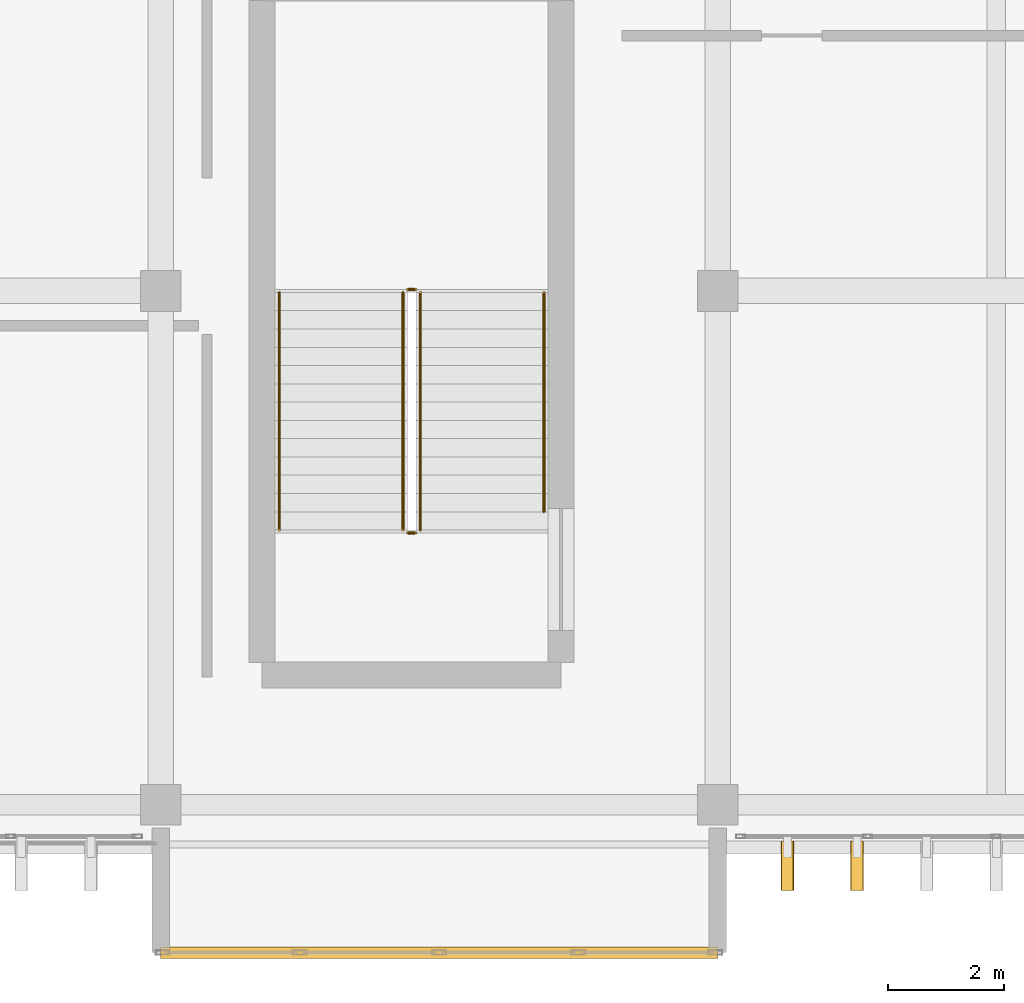
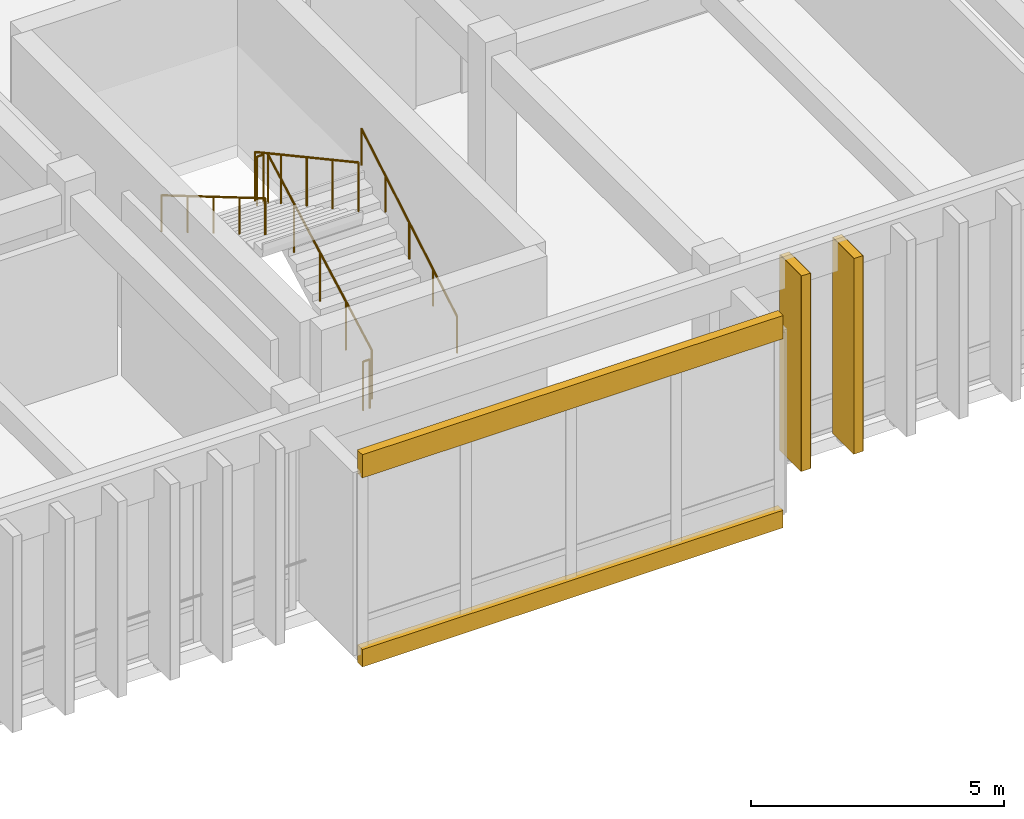
# One storey, part 120 of 133: 6 railings, 4 coverings, 2 shading devices.
"""IFC4 building model written with IfcOpenShell, lengths in metres."""

from ifc_helpers import new_model, si_unit, direction, frame, origin, origin_2d, place, context, subcontext, project, spatial, rectangle, circle, extrude, material, layer, layer_set, type_object, element, save


model = new_model("IFC4")

# Units and contexts
model_context = context("Model", 3, precision=1e-05, world=origin(), true_north=direction((0.0, 1.0)))
body_context = subcontext(model_context, "Body", "Model", "MODEL_VIEW")
ifc_project = project(units=[si_unit("LENGTHUNIT", "METRE"), si_unit("AREAUNIT", "SQUARE_METRE"), si_unit("VOLUMEUNIT", "CUBIC_METRE"), si_unit("PLANEANGLEUNIT", "RADIAN"), si_unit("MASSUNIT", "GRAM", prefix="KILO")], contexts=[model_context])

# Site, building, storey
site_placement = place(None, origin())
site = spatial("IfcSite", under=ifc_project, at=site_placement, CompositionType="ELEMENT")
building_placement = place(site_placement, origin())
building = spatial("IfcBuilding", under=site, at=building_placement, Name="Nakhvara Creek Congress Hotel", CompositionType="ELEMENT")
storey_placement = place(building_placement, frame((0.0, 0.0, 11.39990234375)))
storey = spatial("IfcBuildingStorey", under=building, at=storey_placement, Name="L02", CompositionType="ELEMENT", Elevation=11.39990234375)

# Coverings
ifc_material_1 = material(Name="Honed pale Omani limestone architectural cladding", Category="masonry")
ifc_layer_1 = layer(ifc_material_1, 0.219970703125)
ifc_layer_set_1 = layer_set([ifc_layer_1], Name="Honed pale Omani limestone architectural cladding")
covering_type_1 = type_object("IfcCoveringType", Name="COV-FIN-850", PredefinedType="CLADDING", material=ifc_layer_set_1)
for number, where, z_axis, x_axis, name in (
    (1, (126.0, -0.304931640625, 0.0), (0.0, 0.0, 1.0), (1.0, 0.0, 0.0), "Pale Limestone Fin Cladding CF01-0254"),
    (2, (127.199951171875, -0.304931640625, 0.0), (0.0, 0.0, 1.0), (1.0, 0.0, 0.0), "Pale Limestone Fin Cladding CF01-0255"),
):
    element("IfcCovering", number, at=place(storey_placement, frame(where, z_axis=z_axis, x_axis=x_axis)), inside=storey, type_object=covering_type_1, Name=name, PredefinedType="CLADDING", context=body_context, shape_type="SweptSolid", body=[
        extrude(rectangle(XDim=0.219970703125, YDim=0.85009765625, at=origin_2d()), origin(), (0.0, 0.0, 1.0), 4.719970703125),
    ])
ifc_layer_2 = layer(ifc_material_1, 0.179931640625)
ifc_layer_set_2 = layer_set([ifc_layer_2], Name="Honed pale Omani limestone architectural cladding")
covering_type_2 = type_object("IfcCoveringType", Name="COV-SPN-180", PredefinedType="CLADDING", material=ifc_layer_set_2)
covering_1_placement = place(storey_placement, frame((120.0, -1.800048828125, -0.259765625), z_axis=(0.0, 0.0, 1.0), x_axis=(1.0, 0.0, 0.0)))
element("IfcCovering", 3, at=covering_1_placement, inside=storey, type_object=covering_type_2, Name="Pale Limestone Spandrel Band CF02-0026", PredefinedType="CLADDING", context=body_context, shape_type="SweptSolid", body=[
    extrude(rectangle(XDim=9.60009765625, YDim=0.199951171875, at=origin_2d()), origin(), (0.0, 0.0, 1.0), 0.419921875),
])
covering_2_placement = place(storey_placement, frame((120.0, -1.800048828125, 4.300048828125), z_axis=(0.0, 0.0, 1.0), x_axis=(1.0, 0.0, 0.0)))
element("IfcCovering", 4, at=covering_2_placement, inside=storey, type_object=covering_type_2, Name="Pale Limestone Spandrel Band CF02-0027", PredefinedType="CLADDING", context=body_context, shape_type="SweptSolid", body=[
    extrude(rectangle(XDim=9.60009765625, YDim=0.199951171875, at=origin_2d()), origin(), (0.0, 0.0, 1.0), 0.56005859375),
])

# Railings
ifc_material_2 = material(Name="Brushed stainless steel 316L", Category="steel")
railing_type_1 = type_object("IfcRailingType", Name="RL-GUARD-1200", PredefinedType="GUARDRAIL", material=ifc_material_2)
railing_1_placement = place(storey_placement, frame((119.675048828125, 5.47998046875, 0.171630859375)))
element("IfcRailing", 5, at=railing_1_placement, inside=storey, type_object=railing_type_1, Name="L02 ST12 stair guard 1", PredefinedType="GUARDRAIL", context=body_context, shape_type="SweptSolid", body=[
    extrude(circle(Radius=0.02392578125, at=origin_2d()), frame((0.0, 0.012939453125, 1.182861328125), z_axis=(0.0, 0.878355465225, 0.478008029963), x_axis=(-1.0, 0.0, 0.0)), (0.0, 0.0, 1.0), 4.6328125),
    extrude(circle(Radius=0.02099609375, at=origin_2d()), origin(), (0.0, 0.0, 1.0), 1.1806640625),
    extrude(circle(Radius=0.02099609375, at=origin_2d()), frame((0.0, 1.023681640625, 0.55712890625)), (0.0, 0.0, 1.0), 1.1806640625),
    extrude(circle(Radius=0.02099609375, at=origin_2d()), frame((0.0, 2.04736328125, 1.1142578125)), (0.0, 0.0, 1.0), 1.1806640625),
    extrude(circle(Radius=0.02099609375, at=origin_2d()), frame((0.0, 3.0712890625, 1.67138671875)), (0.0, 0.0, 1.0), 1.1806640625),
    extrude(circle(Radius=0.02099609375, at=origin_2d()), frame((0.0, 4.094970703125, 2.228515625)), (0.0, 0.0, 1.0), 1.1806640625),
])
railing_2_placement = place(storey_placement, frame((119.60009765625, 9.625, 2.400146484375)))
element("IfcRailing", 6, at=railing_2_placement, inside=storey, type_object=railing_type_1, Name="L02 ST12 stair guard 2", PredefinedType="GUARDRAIL", context=body_context, shape_type="SweptSolid", body=[
    extrude(circle(Radius=0.02392578125, at=origin_2d()), frame((-0.0146484375, 0.0, 1.17578125), z_axis=(-1.0, 0.0, 0.0), x_axis=(0.0, -1.0, 0.0)), (0.0, 0.0, 1.0), 0.120849609375),
    extrude(circle(Radius=0.02099609375, at=origin_2d()), origin(), (0.0, 0.0, 1.0), 1.1806640625),
    extrude(circle(Radius=0.02099609375, at=origin_2d()), frame((-0.150146484375, 0.0, 0.0)), (0.0, 0.0, 1.0), 1.1806640625),
])
railing_3_placement = place(storey_placement, frame((119.375, 9.574951171875, 2.571533203125)))
element("IfcRailing", 7, at=railing_3_placement, inside=storey, type_object=railing_type_1, Name="L02 ST12 stair guard 3", PredefinedType="GUARDRAIL", context=body_context, shape_type="SweptSolid", body=[
    extrude(circle(Radius=0.02392578125, at=origin_2d()), frame((0.0, -0.012939453125, 1.182861328125), z_axis=(0.0, -0.878355465225, 0.478008029963), x_axis=(1.0, 0.0, 0.0)), (0.0, 0.0, 1.0), 4.6328125),
    extrude(circle(Radius=0.02099609375, at=origin_2d()), origin(), (0.0, 0.0, 1.0), 1.1806640625),
    extrude(circle(Radius=0.02099609375, at=origin_2d()), frame((0.0, -1.023681640625, 0.55712890625)), (0.0, 0.0, 1.0), 1.1806640625),
    extrude(circle(Radius=0.02099609375, at=origin_2d()), frame((0.0, -2.04736328125, 1.1142578125)), (0.0, 0.0, 1.0), 1.1806640625),
    extrude(circle(Radius=0.02099609375, at=origin_2d()), frame((0.0, -3.0712890625, 1.67138671875)), (0.0, 0.0, 1.0), 1.1806640625),
    extrude(circle(Radius=0.02099609375, at=origin_2d()), frame((0.0, -4.094970703125, 2.228515625)), (0.0, 0.0, 1.0), 1.1806640625),
])
railing_4_placement = place(storey_placement, frame((119.60009765625, 5.429931640625, 0.0)))
element("IfcRailing", 8, at=railing_4_placement, inside=storey, type_object=railing_type_1, Name="L02 ST12 stair guard 4", PredefinedType="GUARDRAIL", context=body_context, shape_type="SweptSolid", body=[
    extrude(circle(Radius=0.02392578125, at=origin_2d()), frame((-0.0146484375, 0.0, 1.17578125), z_axis=(-1.0, 0.0, 0.0), x_axis=(0.0, -1.0, 0.0)), (0.0, 0.0, 1.0), 0.120849609375),
    extrude(circle(Radius=0.02099609375, at=origin_2d()), origin(), (0.0, 0.0, 1.0), 1.1806640625),
    extrude(circle(Radius=0.02099609375, at=origin_2d()), frame((-0.150146484375, 0.0, 0.0)), (0.0, 0.0, 1.0), 1.1806640625),
])
railing_type_2 = type_object("IfcRailingType", Name="RL-HAND-900", PredefinedType="HANDRAIL", material=ifc_material_2)
railing_5_placement = place(storey_placement, frame((121.804931640625, 5.794921875, 0.343017578125)))
element("IfcRailing", 9, at=railing_5_placement, inside=storey, type_object=railing_type_2, Name="L02 ST12 stair handrail 1", PredefinedType="HANDRAIL", context=body_context, shape_type="SweptSolid", body=[
    extrude(circle(Radius=0.02392578125, at=origin_2d()), frame((0.0, 0.0126953125, 0.88330078125), z_axis=(0.0, 0.860342978037, 0.509715567883), x_axis=(-1.0, 0.0, 0.0)), (0.0, 0.0, 1.0), 4.3642578125),
    extrude(circle(Radius=0.02099609375, at=origin_2d()), origin(), (0.0, 0.0, 1.0), 0.880615234375),
    extrude(circle(Radius=0.02099609375, at=origin_2d()), frame((0.0, 0.945068359375, 0.559814453125)), (0.0, 0.0, 1.0), 0.880615234375),
    extrude(circle(Radius=0.02099609375, at=origin_2d()), frame((0.0, 1.89013671875, 1.11962890625)), (0.0, 0.0, 1.0), 0.880615234375),
    extrude(circle(Radius=0.02099609375, at=origin_2d()), frame((0.0, 2.8349609375, 1.6796875)), (0.0, 0.0, 1.0), 0.880615234375),
    extrude(circle(Radius=0.02099609375, at=origin_2d()), frame((0.0, 3.780029296875, 2.239501953125)), (0.0, 0.0, 1.0), 0.880615234375),
])
railing_6_placement = place(storey_placement, frame((117.2451171875, 9.574951171875, 2.571533203125)))
element("IfcRailing", 10, at=railing_6_placement, inside=storey, type_object=railing_type_2, Name="L02 ST12 stair handrail 2", PredefinedType="HANDRAIL", context=body_context, shape_type="SweptSolid", body=[
    extrude(circle(Radius=0.02392578125, at=origin_2d()), frame((0.0, -0.0126953125, 0.88330078125), z_axis=(0.0, -0.861742646415, 0.507345652736), x_axis=(1.0, 0.0, 0.0)), (0.0, 0.0, 1.0), 4.72265625),
    extrude(circle(Radius=0.02099609375, at=origin_2d()), origin(), (0.0, 0.0, 1.0), 0.880615234375),
    extrude(circle(Radius=0.02099609375, at=origin_2d()), frame((0.0, -1.023681640625, 0.602783203125)), (0.0, 0.0, 1.0), 0.880615234375),
    extrude(circle(Radius=0.02099609375, at=origin_2d()), frame((0.0, -2.04736328125, 1.20556640625)), (0.0, 0.0, 1.0), 0.880615234375),
    extrude(circle(Radius=0.02099609375, at=origin_2d()), frame((0.0, -3.0712890625, 1.80810546875)), (0.0, 0.0, 1.0), 0.880615234375),
    extrude(circle(Radius=0.02099609375, at=origin_2d()), frame((0.0, -4.094970703125, 2.410888671875)), (0.0, 0.0, 1.0), 0.880615234375),
])

# Shading devices
ifc_material_3 = material(Name="Honed pale Omani limestone cladding on stainless steel spine", Category="masonry")
shading_device_type = type_object("IfcShadingDeviceType", Name="SHD-FIN-850X4700", PredefinedType="USERDEFINED", material=ifc_material_3)
for number, where, z_axis, x_axis, name in (
    (11, (126.0, -0.304931640625, 0.0), (0.0, 0.0, 1.0), (1.0, 0.0, 0.0), "Limestone Solar Fin FN02-0254"),
    (12, (127.199951171875, -0.304931640625, 0.0), (0.0, 0.0, 1.0), (1.0, 0.0, 0.0), "Limestone Solar Fin FN02-0255"),
):
    element("IfcShadingDevice", number, at=place(storey_placement, frame(where, z_axis=z_axis, x_axis=x_axis)), inside=storey, type_object=shading_device_type, Name=name, ObjectType="FIN", PredefinedType="USERDEFINED", context=body_context, shape_type="SweptSolid", body=[
        extrude(rectangle(XDim=0.199951171875, YDim=0.85009765625, at=origin_2d()), origin(), (0.0, 0.0, 1.0), 4.719970703125),
    ])

save(model, "model.ifc")
